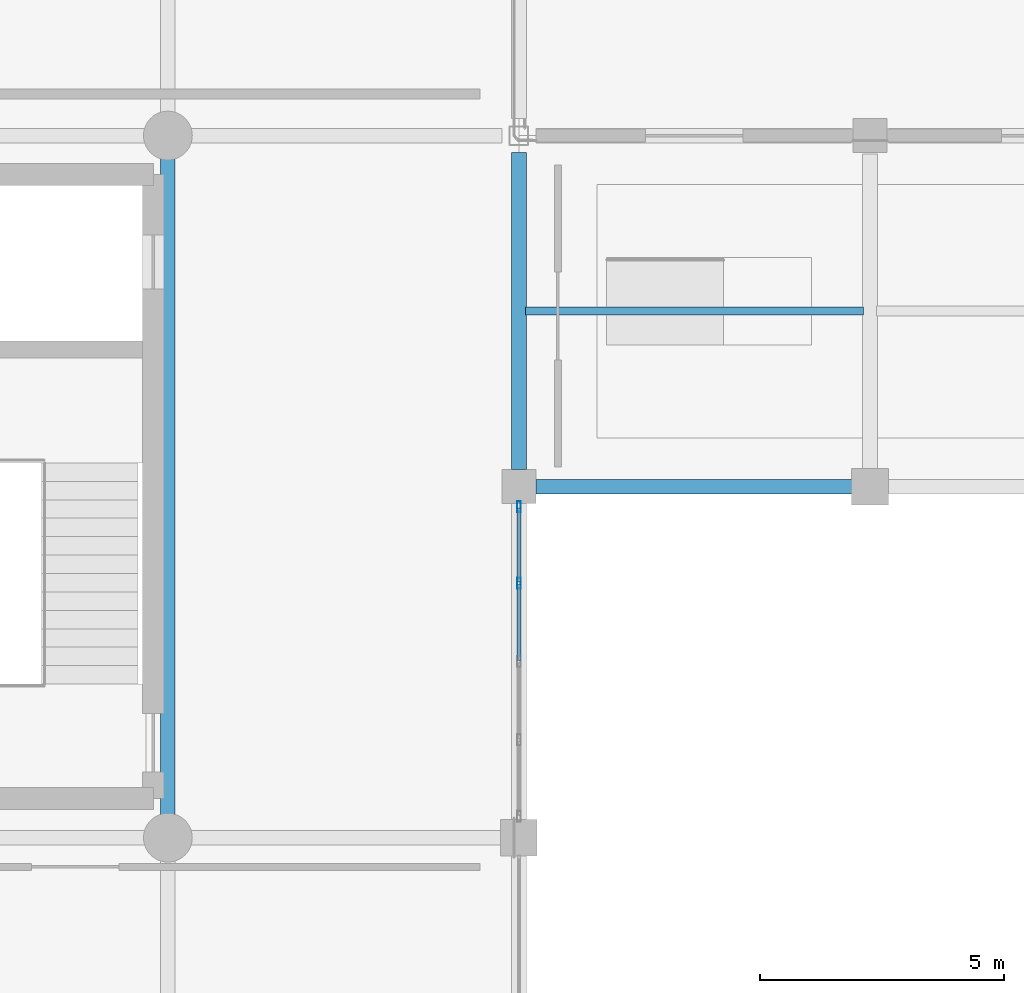
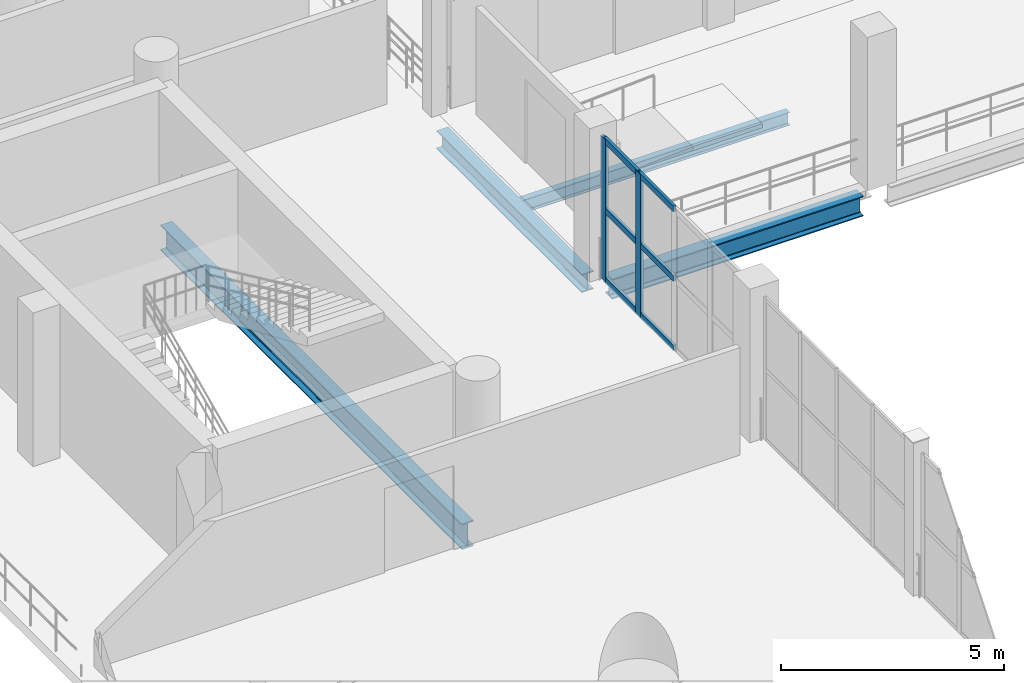
# One storey, part 45 of 130: 8 members, 4 beams, 1 element without a shape of its own.
"""IFC4 building model written with IfcOpenShell, lengths in metres."""

import ifcopenshell
import ifcopenshell.guid

model = None  # the IFC model being written
_history = None  # IfcOwnerHistory: only IFC2X3 demands one
_inside = {}  # id of a spatial element -> (the spatial element, [elements in it])
_under = {}  # id of a project, library or spatial element -> (it, [spatial elements below it])
_declared = {}  # id of a project -> (the project, [libraries it declares])
_typed = {}  # id of a type object -> (the type object, [elements of that type])
_made_of = {}  # id of a material, layer set ... -> (it, [elements and type objects made of it])


def new_model(schema):
    """Start an empty IFC model of exactly this schema.

    Asked for "IFC4X3", IfcOpenShell would pick the latest addendum, in which some entities
    have other attributes; the version numbers below select the first issue.
    IFC2X3 requires an IfcOwnerHistory on every rooted entity: one is made here for all.
    """
    global model, _history
    if schema == "IFC4X3":
        model = ifcopenshell.file(schema_version=(4, 3, 0, 0))
    else:
        model = ifcopenshell.file(schema=schema)
    _inside.clear()
    _under.clear()
    _declared.clear()
    _typed.clear()
    _made_of.clear()
    _history = None
    if model.schema == "IFC2X3":
        org = make("IfcOrganization", Name="unknown")
        user = make(
            "IfcPersonAndOrganization",
            ThePerson=make("IfcPerson", FamilyName="unknown"),
            TheOrganization=org,
        )
        app = make(
            "IfcApplication",
            ApplicationDeveloper=org,
            Version="unknown",
            ApplicationFullName="unknown",
            ApplicationIdentifier="unknown",
        )
        _history = make(
            "IfcOwnerHistory",
            OwningUser=user,
            OwningApplication=app,
            ChangeAction="ADDED",
            CreationDate=0,
        )
    return model


def make(cls, **values):
    """One entity of the class cls with the attributes given. An attribute that is None is left unset."""
    return model.create_entity(
        cls, **{name: value for name, value in values.items() if value is not None}
    )


def rooted(cls, **values):
    """An entity with a GlobalId (a new one), such as an element, a storey or a relation."""
    return make(cls, GlobalId=ifcopenshell.guid.new(), OwnerHistory=_history, **values)


def si_unit(unit_type, name, prefix=None):
    """IfcSIUnit, for example si_unit("LENGTHUNIT", "METRE", prefix="MILLI")."""
    return make("IfcSIUnit", UnitType=unit_type, Prefix=prefix, Name=name)


def assignment(units):
    """IfcUnitAssignment: the units of a project."""
    return None if units is None else make("IfcUnitAssignment", Units=units)


def point(xyz):
    """IfcCartesianPoint."""
    return None if xyz is None else make("IfcCartesianPoint", Coordinates=xyz)


def direction(xyz):
    """IfcDirection."""
    return None if xyz is None else make("IfcDirection", DirectionRatios=xyz)


def frame(location, z_axis=None, x_axis=None):
    """IfcAxis2Placement3D, a coordinate frame: its origin and axes. An axis left out is left unset."""
    return make(
        "IfcAxis2Placement3D",
        Location=point(location),
        Axis=direction(z_axis),
        RefDirection=direction(x_axis),
    )


def frame_2d(location, x_axis=None):
    """IfcAxis2Placement2D, a coordinate frame in the plane: its origin and x axis."""
    return make(
        "IfcAxis2Placement2D", Location=point(location), RefDirection=direction(x_axis)
    )


def origin():
    """The frame at (0, 0, 0) with its axes left unset."""
    return frame((0.0, 0.0, 0.0))


def origin_2d():
    """The frame at (0, 0) in the plane with its x axis left unset."""
    return frame_2d((0.0, 0.0))


def place(relative_to, where):
    """IfcLocalPlacement: puts the frame where relative to a parent placement (None: the world)."""
    return make(
        "IfcLocalPlacement", PlacementRelTo=relative_to, RelativePlacement=where
    )


def context(
    kind, dimensions, precision=None, world=None, true_north=None, identifier=None
):
    """IfcGeometricRepresentationContext, for example the 3D "Model" context."""
    return make(
        "IfcGeometricRepresentationContext",
        ContextIdentifier=identifier,
        ContextType=kind,
        CoordinateSpaceDimension=dimensions,
        Precision=precision,
        WorldCoordinateSystem=world,
        TrueNorth=true_north,
    )


def subcontext(parent, identifier, kind, view, scale=None):
    """IfcGeometricRepresentationSubContext, for example "Body" below "Model"."""
    return make(
        "IfcGeometricRepresentationSubContext",
        ContextIdentifier=identifier,
        ContextType=kind,
        ParentContext=parent,
        TargetScale=scale,
        TargetView=view,
    )


def project(units=None, contexts=None):
    """IfcProject with its units and contexts."""
    return rooted(
        "IfcProject",
        Name="project",
        RepresentationContexts=contexts,
        UnitsInContext=assignment(units),
    )


def spatial(cls, under=None, at=None, **own):
    """A site, building, storey or space (cls), placed at a placement, below another one or the project."""
    s = rooted(cls, ObjectPlacement=at, **own)
    if under is not None:
        _under.setdefault(under.id(), (under, []))[1].append(s)
    return s


def profile(cls, at=None, kind="AREA", **sizes):
    """A parametric profile (cls). Its sizes go by their IFC names, for example OverallWidth=200.0."""
    return make(cls, ProfileType=kind, Position=at, **sizes)


def hollow_rectangle(**sizes):
    """IfcRectangleHollowProfileDef."""
    return profile("IfcRectangleHollowProfileDef", **sizes)


def i_section(**sizes):
    """IfcIShapeProfileDef."""
    return profile("IfcIShapeProfileDef", **sizes)


def extrude(swept, where, along, depth):
    """IfcExtrudedAreaSolid: the profile swept, set in the frame where, extruded along a direction by depth."""
    return make(
        "IfcExtrudedAreaSolid",
        SweptArea=swept,
        Position=where,
        ExtrudedDirection=direction(along),
        Depth=depth,
    )


def shape(context_of_items, identifier, shape_type, items):
    """IfcShapeRepresentation: the items that make up one representation, for example the "Body"."""
    return make(
        "IfcShapeRepresentation",
        ContextOfItems=context_of_items,
        RepresentationIdentifier=identifier,
        RepresentationType=shape_type,
        Items=items,
    )


def material(Name=None, Category=None):
    """IfcMaterial."""
    return make("IfcMaterial", Name=Name, Category=Category)


def material_profile(
    of_material, cross_section, Name=None, Category=None, Priority=None
):
    """IfcMaterialProfile: a cross section and its material."""
    return make(
        "IfcMaterialProfile",
        Name=Name,
        Material=of_material,
        Profile=cross_section,
        Priority=Priority,
        Category=Category,
    )


def profile_set(profiles, Name=None, composite=None):
    """IfcMaterialProfileSet."""
    return make(
        "IfcMaterialProfileSet",
        Name=Name,
        MaterialProfiles=profiles,
        CompositeProfile=composite,
    )


def made_of(thing, what):
    """Note that an element or type object is made of a material, layer set ...; save() writes the relation."""
    if what is not None:
        _made_of.setdefault(what.id(), (what, []))[1].append(thing)
    return thing


def type_object(cls, material=None, **own):
    """A type object (cls), such as IfcWallType, which elements share."""
    return made_of(rooted(cls, **own), material)


def element(
    cls,
    number,
    at=None,
    inside=None,
    cuts=None,
    type_object=None,
    material=None,
    context=None,
    identifier="Body",
    shape_type=None,
    held_by="IfcProductDefinitionShape",
    body=None,
    shapes=None,
    **own,
):
    """One element of the class cls, such as IfcWall. Its Tag is "e" and its number.

    at: its placement. inside: the storey or other place that contains it. cuts: it is an
    opening in that element (IfcRelVoidsElement). A single representation is given by context,
    identifier, shape_type and body (its items); several are given by shapes. held_by: the class
    of the entity that holds the representations. save() writes the other relations.
    """
    e = rooted(cls, Tag="e%d" % number, ObjectPlacement=at, **own)
    if body is not None:
        shapes = [shape(context, identifier, shape_type, body)]
    if shapes is not None:
        e.Representation = make(held_by, Representations=shapes)
    if inside is not None:
        _inside.setdefault(inside.id(), (inside, []))[1].append(e)
    if cuts is not None:
        rooted(
            "IfcRelVoidsElement", RelatingBuildingElement=cuts, RelatedOpeningElement=e
        )
    if type_object is not None:
        _typed.setdefault(type_object.id(), (type_object, []))[1].append(e)
    return made_of(e, material)


def aggregate(whole, parts):
    """IfcRelAggregates: a whole, such as a stair, and the parts it consists of."""
    return rooted("IfcRelAggregates", RelatingObject=whole, RelatedObjects=parts)


def save(model, path):
    """Write the relations noted so far, then the file.

    IfcRelAggregates (storeys below a building ...), IfcRelContainedInSpatialStructure (elements
    in a storey), IfcRelDefinesByType, IfcRelAssociatesMaterial and IfcRelDeclares: one each for
    every whole, place, type object, material and project.
    """
    for whole, parts in _under.values():
        aggregate(whole, parts)
    for where, things in _inside.values():
        rooted(
            "IfcRelContainedInSpatialStructure",
            RelatedElements=things,
            RelatingStructure=where,
        )
    for kind, things in _typed.values():
        rooted("IfcRelDefinesByType", RelatedObjects=things, RelatingType=kind)
    for what, things in _made_of.values():
        rooted("IfcRelAssociatesMaterial", RelatedObjects=things, RelatingMaterial=what)
    for by, libraries in _declared.values():
        rooted("IfcRelDeclares", RelatingContext=by, RelatedDefinitions=libraries)
    model.write(path)


model = new_model("IFC4")

# Units and contexts
model_context = context("Model", 3, precision=1e-05, world=origin(), true_north=direction((0.0, 1.0)))
body_context = subcontext(model_context, "Body", "Model", "MODEL_VIEW")
ifc_project = project(units=[si_unit("LENGTHUNIT", "METRE"), si_unit("AREAUNIT", "SQUARE_METRE"), si_unit("VOLUMEUNIT", "CUBIC_METRE"), si_unit("PLANEANGLEUNIT", "RADIAN"), si_unit("MASSUNIT", "GRAM", prefix="KILO")], contexts=[model_context])

# Site, building, storey
site_placement = place(None, origin())
site = spatial("IfcSite", under=ifc_project, at=site_placement, CompositionType="ELEMENT")
building_placement = place(site_placement, origin())
building = spatial("IfcBuilding", under=site, at=building_placement, Name="Qandorah Velis Arena", CompositionType="ELEMENT")
storey_placement = place(building_placement, frame((0.0, 0.0, 9.60009765625)))
storey = spatial("IfcBuildingStorey", under=building, at=storey_placement, Name="L02", CompositionType="ELEMENT", Elevation=9.60009765625)

# Curtain wall, members
ifc_material_1 = material(Name="Solar-control low-E double glazing", Category="glass")
curtain_wall_type = type_object("IfcCurtainWallType", Name="ARC-CW-SYS01", PredefinedType="USERDEFINED", material=ifc_material_1)
curtain_wall_placement = place(storey_placement, origin())
curtain_wall = element("IfcCurtainWall", 1, at=curtain_wall_placement, inside=storey, type_object=curtain_wall_type, Name="Unitised curtain wall L02-169", ObjectType="UNITISED CURTAIN WALL", PredefinedType="USERDEFINED")
ifc_material_2 = material(Name="Champagne-bronze anodized aluminium 6063-T6", Category="aluminium")
ifc_material_profile_1 = material_profile(ifc_material_2, hollow_rectangle(XDim=0.074951171875, YDim=0.219970703125, WallThickness=0.00390625, at=origin_2d()), Name="ALU MULLION 75x220")
ifc_profile_set_1 = profile_set([ifc_material_profile_1], Name="Champagne-bronze anodized aluminium 6063-T6")
member_type_1 = type_object("IfcMemberType", Name="ARC-CWM-220", PredefinedType="MULLION", material=ifc_profile_set_1)
member_1_placement = place(storey_placement, frame((122.39990234375, 41.21875, -0.01513671875), z_axis=(0.0, 0.0, 1.0), x_axis=(-1.0, 0.0, 0.0)))
member_1 = element("IfcMember", 2, at=member_1_placement, type_object=member_type_1, Name="CW01 mullion 4", PredefinedType="MULLION", context=body_context, shape_type="SweptSolid", body=[
    extrude(hollow_rectangle(XDim=0.074951171875, YDim=0.219970703125, WallThickness=0.00390625, at=origin_2d()), origin(), (0.0, 0.0, 1.0), 3.91015625),
])
member_2_placement = place(storey_placement, frame((122.39990234375, 42.78759765625, -0.01513671875), z_axis=(0.0, 0.0, 1.0), x_axis=(-1.0, 0.0, 0.0)))
member_2 = element("IfcMember", 3, at=member_2_placement, type_object=member_type_1, Name="CW01 mullion 5", PredefinedType="MULLION", context=body_context, shape_type="SweptSolid", body=[
    extrude(hollow_rectangle(XDim=0.074951171875, YDim=0.219970703125, WallThickness=0.00390625, at=origin_2d()), origin(), (0.0, 0.0, 1.0), 3.91015625),
])
ifc_material_profile_2 = material_profile(ifc_material_2, hollow_rectangle(XDim=0.074951171875, YDim=0.159912109375, WallThickness=0.00341796875, at=origin_2d()), Name="ALU TRANSOM 75x160")
ifc_profile_set_2 = profile_set([ifc_material_profile_2], Name="Champagne-bronze anodized aluminium 6063-T6")
member_type_2 = type_object("IfcMemberType", Name="ARC-CWT-160", PredefinedType="USERDEFINED", material=ifc_profile_set_2)
member_3_placement = place(storey_placement, frame((122.39990234375, 39.637939453125, 0.037353515625), z_axis=(0.0, 1.0, 0.0), x_axis=(-1.0, 0.0, 0.0)))
member_3 = element("IfcMember", 4, at=member_3_placement, type_object=member_type_2, Name="CW01 transom 3.1", ObjectType="TRANSOM", PredefinedType="USERDEFINED", context=body_context, shape_type="SweptSolid", body=[
    extrude(hollow_rectangle(XDim=0.074951171875, YDim=0.159912109375, WallThickness=0.00341796875, at=origin_2d()), origin(), (0.0, 0.0, 1.0), 1.555419921875),
])
member_4_placement = place(storey_placement, frame((122.39990234375, 39.637939453125, 1.93994140625), z_axis=(0.0, 1.0, 0.0), x_axis=(-1.0, 0.0, 0.0)))
member_4 = element("IfcMember", 5, at=member_4_placement, type_object=member_type_2, Name="CW01 transom 3.2", ObjectType="TRANSOM", PredefinedType="USERDEFINED", context=body_context, shape_type="SweptSolid", body=[
    extrude(hollow_rectangle(XDim=0.074951171875, YDim=0.159912109375, WallThickness=0.00341796875, at=origin_2d()), origin(), (0.0, 0.0, 1.0), 1.555419921875),
])
member_5_placement = place(storey_placement, frame((122.39990234375, 39.637939453125, 3.84228515625), z_axis=(0.0, 1.0, 0.0), x_axis=(-1.0, 0.0, 0.0)))
member_5 = element("IfcMember", 6, at=member_5_placement, type_object=member_type_2, Name="CW01 transom 3.3", ObjectType="TRANSOM", PredefinedType="USERDEFINED", context=body_context, shape_type="SweptSolid", body=[
    extrude(hollow_rectangle(XDim=0.074951171875, YDim=0.159912109375, WallThickness=0.00341796875, at=origin_2d()), origin(), (0.0, 0.0, 1.0), 1.555419921875),
])
member_6_placement = place(storey_placement, frame((122.39990234375, 41.244384765625, 0.037353515625), z_axis=(0.0, 1.0, 0.0), x_axis=(-1.0, 0.0, 0.0)))
member_6 = element("IfcMember", 7, at=member_6_placement, type_object=member_type_2, Name="CW01 transom 4.1", ObjectType="TRANSOM", PredefinedType="USERDEFINED", context=body_context, shape_type="SweptSolid", body=[
    extrude(hollow_rectangle(XDim=0.074951171875, YDim=0.159912109375, WallThickness=0.00341796875, at=origin_2d()), origin(), (0.0, 0.0, 1.0), 1.517578125),
])
member_7_placement = place(storey_placement, frame((122.39990234375, 41.244384765625, 1.93994140625), z_axis=(0.0, 1.0, 0.0), x_axis=(-1.0, 0.0, 0.0)))
member_7 = element("IfcMember", 8, at=member_7_placement, type_object=member_type_2, Name="CW01 transom 4.2", ObjectType="TRANSOM", PredefinedType="USERDEFINED", context=body_context, shape_type="SweptSolid", body=[
    extrude(hollow_rectangle(XDim=0.074951171875, YDim=0.159912109375, WallThickness=0.00341796875, at=origin_2d()), origin(), (0.0, 0.0, 1.0), 1.517578125),
])
member_8_placement = place(storey_placement, frame((122.39990234375, 41.244384765625, 3.84228515625), z_axis=(0.0, 1.0, 0.0), x_axis=(-1.0, 0.0, 0.0)))
member_8 = element("IfcMember", 9, at=member_8_placement, type_object=member_type_2, Name="CW01 transom 4.3", ObjectType="TRANSOM", PredefinedType="USERDEFINED", context=body_context, shape_type="SweptSolid", body=[
    extrude(hollow_rectangle(XDim=0.074951171875, YDim=0.159912109375, WallThickness=0.00341796875, at=origin_2d()), origin(), (0.0, 0.0, 1.0), 1.517578125),
])
aggregate(curtain_wall, [member_1, member_2, member_3, member_4, member_5, member_6, member_7, member_8])

# Beams
ifc_material_3 = material(Name="Steel S355", Category="steel")
ifc_material_profile_3 = material_profile(ifc_material_3, i_section(OverallWidth=0.300048828125, OverallDepth=0.5, WebThickness=0.014404296875, FlangeThickness=0.028076171875, FilletRadius=0.027099609375, at=origin_2d()), Name="HEB 500")
ifc_profile_set_3 = profile_set([ifc_material_profile_3], Name="Steel S355")
beam_type_1 = type_object("IfcBeamType", Name="STR-BM-HEB500", PredefinedType="BEAM", material=ifc_profile_set_3)
beam_1_placement = place(storey_placement, frame((122.39990234375, 43.550048828125, -0.530029296875), z_axis=(0.0, 1.0, 0.0), x_axis=(-1.0, 0.0, 0.0)))
element("IfcBeam", 10, at=beam_1_placement, inside=storey, type_object=beam_type_1, Name="Primary floor girder L02 Y-324", PredefinedType="BEAM", context=body_context, shape_type="SweptSolid", body=[
    extrude(i_section(OverallWidth=0.300048828125, OverallDepth=0.5, WebThickness=0.014404296875, FlangeThickness=0.028076171875, FilletRadius=0.027099609375, at=origin_2d()), origin(), (0.0, 0.0, 1.0), 6.5),
])
ifc_material_profile_4 = material_profile(ifc_material_3, i_section(OverallWidth=0.300048828125, OverallDepth=0.550048828125, WebThickness=0.014892578125, FlangeThickness=0.029052734375, FilletRadius=0.027099609375, at=origin_2d()), Name="HEB 550")
ifc_profile_set_4 = profile_set([ifc_material_profile_4], Name="Steel S355")
beam_type_2 = type_object("IfcBeamType", Name="STR-BM-HEB550", PredefinedType="BEAM", material=ifc_profile_set_4)
beam_2_placement = place(storey_placement, frame((122.75, 43.199951171875, -0.55517578125), z_axis=(1.0, 0.0, 0.0), x_axis=(0.0, 1.0, 0.0)))
element("IfcBeam", 11, at=beam_2_placement, inside=storey, type_object=beam_type_2, Name="Primary floor girder L02 X-069", PredefinedType="BEAM", context=body_context, shape_type="SweptSolid", body=[
    extrude(i_section(OverallWidth=0.300048828125, OverallDepth=0.550048828125, WebThickness=0.014892578125, FlangeThickness=0.029052734375, FilletRadius=0.027099609375, at=origin_2d()), origin(), (0.0, 0.0, 1.0), 6.5),
])
ifc_material_profile_5 = material_profile(ifc_material_3, i_section(OverallWidth=0.300048828125, OverallDepth=0.699951171875, WebThickness=0.01708984375, FlangeThickness=0.031982421875, FilletRadius=0.027099609375, at=origin_2d()), Name="HEB 700")
ifc_profile_set_5 = profile_set([ifc_material_profile_5], Name="Steel S355")
beam_type_3 = type_object("IfcBeamType", Name="STR-BM-HEB700", PredefinedType="BEAM", material=ifc_profile_set_5)
beam_3_placement = place(storey_placement, frame((115.199951171875, 36.449951171875, -0.630126953125), z_axis=(0.0, 1.0, 0.0), x_axis=(-1.0, 0.0, 0.0)))
element("IfcBeam", 12, at=beam_3_placement, inside=storey, type_object=beam_type_3, Name="Primary floor girder L02 Y-310", PredefinedType="BEAM", context=body_context, shape_type="SweptSolid", body=[
    extrude(i_section(OverallWidth=0.300048828125, OverallDepth=0.699951171875, WebThickness=0.01708984375, FlangeThickness=0.031982421875, FilletRadius=0.027099609375, at=origin_2d()), origin(), (0.0, 0.0, 1.0), 13.5),
])
ifc_material_profile_6 = material_profile(ifc_material_3, i_section(OverallWidth=0.169921875, OverallDepth=0.360107421875, WebThickness=0.008056640625, FlangeThickness=0.0126953125, FilletRadius=0.01806640625, at=origin_2d()), Name="IPE 360")
ifc_profile_set_6 = profile_set([ifc_material_profile_6], Name="Steel S355")
beam_type_4 = type_object("IfcBeamType", Name="STR-JST-IPE360", PredefinedType="JOIST", material=ifc_profile_set_6)
beam_4_placement = place(storey_placement, frame((122.534912109375, 46.800048828125, -0.460205078125), z_axis=(1.0, 0.0, 0.0), x_axis=(0.0, 1.0, 0.0)))
element("IfcBeam", 13, at=beam_4_placement, inside=storey, type_object=beam_type_4, Name="Secondary floor joist L02-094", PredefinedType="JOIST", context=body_context, shape_type="SweptSolid", body=[
    extrude(i_section(OverallWidth=0.169921875, OverallDepth=0.360107421875, WebThickness=0.008056640625, FlangeThickness=0.0126953125, FilletRadius=0.01806640625, at=origin_2d()), origin(), (0.0, 0.0, 1.0), 6.93017578125),
])

save(model, "model.ifc")
